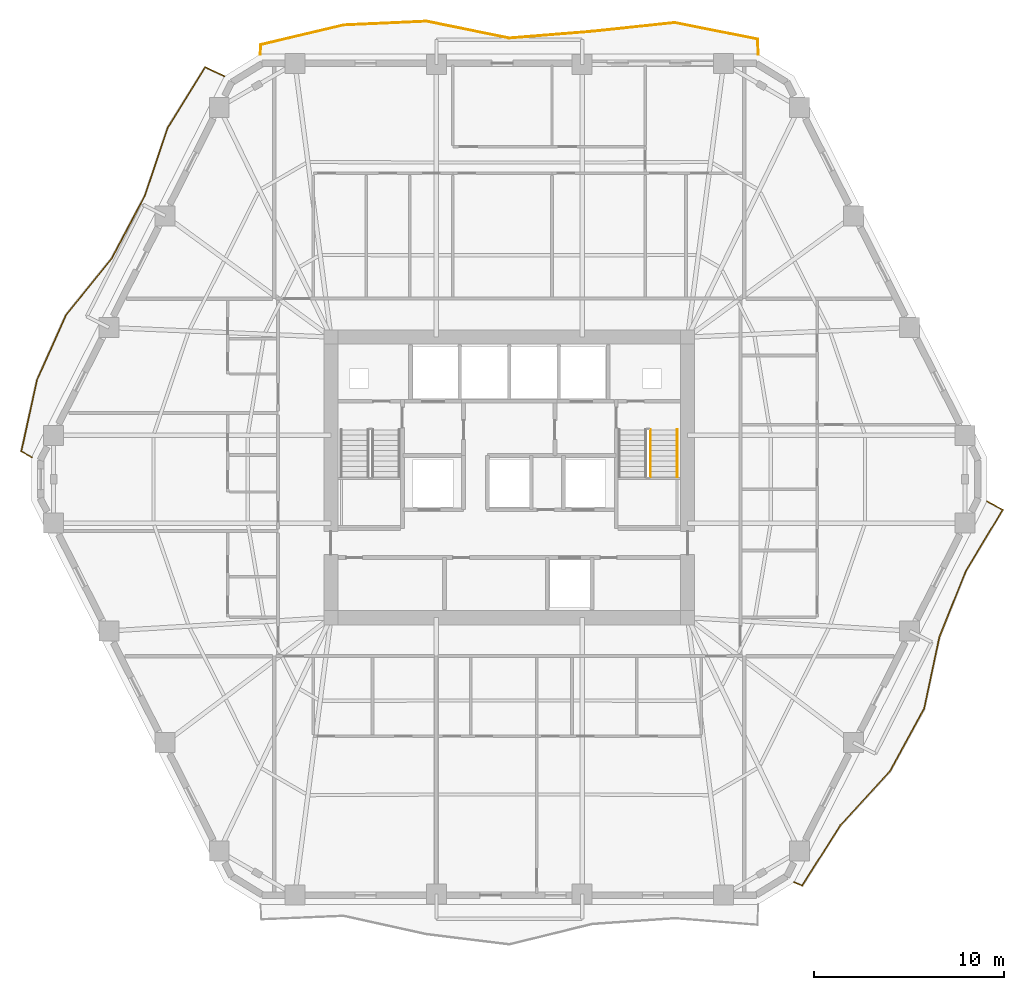
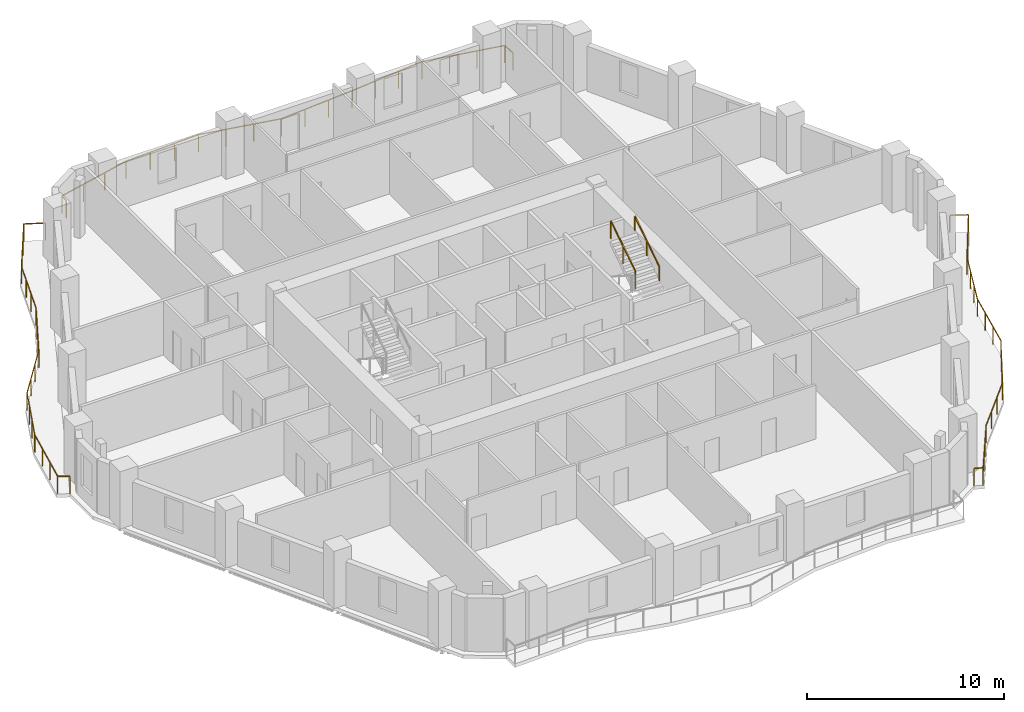
# One storey, part 10 of 10: 5 railings.
"""IFC4 building model written with IfcOpenShell, lengths in metres."""

from ifc_helpers import new_model, si_unit, direction, frame, origin, origin_2d, place, context, subcontext, project, spatial, rectangle, extrude, material, type_object, element, save


model = new_model("IFC4")

# Units and contexts
model_context = context("Model", 3, precision=1e-05, world=origin(), true_north=direction((0.0, 1.0)))
body_context = subcontext(model_context, "Body", "Model", "MODEL_VIEW")
ifc_project = project(units=[si_unit("LENGTHUNIT", "METRE"), si_unit("AREAUNIT", "SQUARE_METRE"), si_unit("VOLUMEUNIT", "CUBIC_METRE"), si_unit("PLANEANGLEUNIT", "RADIAN"), si_unit("MASSUNIT", "GRAM", prefix="KILO")], contexts=[model_context])

# Site, building, storey
site_placement = place(None, origin())
site = spatial("IfcSite", under=ifc_project, at=site_placement, CompositionType="ELEMENT")
building_placement = place(site_placement, origin())
building = spatial("IfcBuilding", under=site, at=building_placement, Name="Cinnabar Lancet Tower", CompositionType="ELEMENT")
storey_placement = place(building_placement, frame((0.0, 0.0, 116.14990234375)))
storey = spatial("IfcBuildingStorey", under=building, at=storey_placement, Name="L30", CompositionType="ELEMENT", Elevation=116.14990234375)

# Railings
ifc_material_1 = material(Name="Laminated safety glass and bronze stainless steel balustrade", Category="steel")
railing_type_1 = type_object("IfcRailingType", Name="ENV-RLG-BAL-1100", PredefinedType="BALUSTRADE", material=ifc_material_1)
railing_1_placement = place(storey_placement, frame((47.37890625, 4.610107421875, 0.0)))
element("IfcRailing", 1, at=railing_1_placement, inside=storey, type_object=railing_type_1, Name="L30 Face 2 Wave Balcony Balustrade", PredefinedType="BALUSTRADE", context=body_context, shape_type="SweptSolid", body=[
    extrude(rectangle(XDim=0.048095703125, YDim=0.048095703125, at=origin_2d()), frame((0.0, 0.0, 1.076171875), z_axis=(0.921886676673, -0.387459617732, 0.0), x_axis=(0.387459617732, 0.921886676673, 0.0)), (0.0, 0.0, 1.0), 0.456787109375),
    extrude(rectangle(XDim=0.048095703125, YDim=0.048095703125, at=origin_2d()), frame((0.421142578125, -0.177001953125, 1.076171875), z_axis=(0.534649303748, 0.845074033444, 0.0), x_axis=(-0.845074033444, 0.534649303748, 0.0)), (0.0, 0.0, 1.0), 3.75),
    extrude(rectangle(XDim=0.048095703125, YDim=0.048095703125, at=origin_2d()), frame((2.426025390625, 2.991943359375, 1.076171875), z_axis=(0.675627624198, 0.737243049083, 0.0), x_axis=(-0.737243049083, 0.675627624198, 0.0)), (0.0, 0.0, 1.0), 3.875244140625),
    extrude(rectangle(XDim=0.048095703125, YDim=0.048095703125, at=origin_2d()), frame((5.044189453125, 5.848876953125, 1.076171875), z_axis=(0.479030865014, 0.877798057849, 0.0), x_axis=(-0.877798057849, 0.479030865014, 0.0)), (0.0, 0.0, 1.0), 3.732177734375),
    extrude(rectangle(XDim=0.048095703125, YDim=0.048095703125, at=origin_2d()), frame((6.83203125, 9.125, 1.076171875), z_axis=(0.208111508377, 0.978105106868, 0.0), x_axis=(-0.978105106868, 0.208111508377, 0.0)), (0.0, 0.0, 1.0), 3.8583984375),
    extrude(rectangle(XDim=0.048095703125, YDim=0.048095703125, at=origin_2d()), frame((7.635009765625, 12.89892578125, 1.076171875), z_axis=(0.372784078531, 0.927918116427, 0.0), x_axis=(-0.927918116427, 0.372784078531, 0.0)), (0.0, 0.0, 1.0), 3.744873046875),
    extrude(rectangle(XDim=0.048095703125, YDim=0.048095703125, at=origin_2d()), frame((9.031005859375, 16.373779296875, 1.076171875), z_axis=(0.516087612443, 0.856535799767, 0.0), x_axis=(-0.856535799767, 0.516087612443, 0.0)), (0.0, 0.0, 1.0), 3.741943359375),
    extrude(rectangle(XDim=0.048095703125, YDim=0.048095703125, at=origin_2d()), frame((10.962158203125, 19.578857421875, 1.076171875), z_axis=(-0.878241663527, 0.478217085063, 0.0), x_axis=(-0.478217085063, -0.878241663527, 0.0)), (0.0, 0.0, 1.0), 0.94287109375),
    extrude(rectangle(XDim=0.0419921875, YDim=0.0419921875, at=origin_2d()), origin(), (0.0, 0.0, 1.0), 1.052001953125),
    extrude(rectangle(XDim=0.0419921875, YDim=0.0419921875, at=origin_2d()), frame((0.421142578125, -0.177001953125, 0.0)), (0.0, 0.0, 1.0), 1.052001953125),
    extrude(rectangle(XDim=0.0419921875, YDim=0.0419921875, at=origin_2d()), frame((1.08935546875, 0.87939453125, 0.0)), (0.0, 0.0, 1.0), 1.052001953125),
    extrude(rectangle(XDim=0.0419921875, YDim=0.0419921875, at=origin_2d()), frame((1.7578125, 1.935546875, 0.0)), (0.0, 0.0, 1.0), 1.052001953125),
    extrude(rectangle(XDim=0.0419921875, YDim=0.0419921875, at=origin_2d()), frame((2.426025390625, 2.991943359375, 0.0)), (0.0, 0.0, 1.0), 1.052001953125),
    extrude(rectangle(XDim=0.0419921875, YDim=0.0419921875, at=origin_2d()), frame((3.298828125, 3.9443359375, 0.0)), (0.0, 0.0, 1.0), 1.052001953125),
    extrude(rectangle(XDim=0.0419921875, YDim=0.0419921875, at=origin_2d()), frame((4.17138671875, 4.896484375, 0.0)), (0.0, 0.0, 1.0), 1.052001953125),
    extrude(rectangle(XDim=0.0419921875, YDim=0.0419921875, at=origin_2d()), frame((5.044189453125, 5.848876953125, 0.0)), (0.0, 0.0, 1.0), 1.052001953125),
    extrude(rectangle(XDim=0.0419921875, YDim=0.0419921875, at=origin_2d()), frame((5.64013671875, 6.94091796875, 0.0)), (0.0, 0.0, 1.0), 1.052001953125),
    extrude(rectangle(XDim=0.0419921875, YDim=0.0419921875, at=origin_2d()), frame((6.236083984375, 8.032958984375, 0.0)), (0.0, 0.0, 1.0), 1.052001953125),
    extrude(rectangle(XDim=0.0419921875, YDim=0.0419921875, at=origin_2d()), frame((6.83203125, 9.125, 0.0)), (0.0, 0.0, 1.0), 1.052001953125),
    extrude(rectangle(XDim=0.0419921875, YDim=0.0419921875, at=origin_2d()), frame((7.099609375, 10.383056640625, 0.0)), (0.0, 0.0, 1.0), 1.052001953125),
    extrude(rectangle(XDim=0.0419921875, YDim=0.0419921875, at=origin_2d()), frame((7.367431640625, 11.640869140625, 0.0)), (0.0, 0.0, 1.0), 1.052001953125),
    extrude(rectangle(XDim=0.0419921875, YDim=0.0419921875, at=origin_2d()), frame((7.635009765625, 12.89892578125, 0.0)), (0.0, 0.0, 1.0), 1.052001953125),
    extrude(rectangle(XDim=0.0419921875, YDim=0.0419921875, at=origin_2d()), frame((8.100341796875, 14.05712890625, 0.0)), (0.0, 0.0, 1.0), 1.052001953125),
    extrude(rectangle(XDim=0.0419921875, YDim=0.0419921875, at=origin_2d()), frame((8.565673828125, 15.215576171875, 0.0)), (0.0, 0.0, 1.0), 1.052001953125),
    extrude(rectangle(XDim=0.0419921875, YDim=0.0419921875, at=origin_2d()), frame((9.031005859375, 16.373779296875, 0.0)), (0.0, 0.0, 1.0), 1.052001953125),
    extrude(rectangle(XDim=0.0419921875, YDim=0.0419921875, at=origin_2d()), frame((9.6748046875, 17.442138671875, 0.0)), (0.0, 0.0, 1.0), 1.052001953125),
    extrude(rectangle(XDim=0.0419921875, YDim=0.0419921875, at=origin_2d()), frame((10.318359375, 18.510498046875, 0.0)), (0.0, 0.0, 1.0), 1.052001953125),
    extrude(rectangle(XDim=0.0419921875, YDim=0.0419921875, at=origin_2d()), frame((10.962158203125, 19.578857421875, 0.0)), (0.0, 0.0, 1.0), 1.052001953125),
    extrude(rectangle(XDim=0.0419921875, YDim=0.0419921875, at=origin_2d()), frame((10.134033203125, 20.02978515625, 0.0)), (0.0, 0.0, 1.0), 1.052001953125),
])
railing_2_placement = place(storey_placement, frame((45.491943359375, 48.14990234375, 0.0)))
element("IfcRailing", 2, at=railing_2_placement, inside=storey, type_object=railing_type_1, Name="L30 Face 4 Wave Balcony Balustrade", PredefinedType="BALUSTRADE", context=body_context, shape_type="SweptSolid", body=[
    extrude(rectangle(XDim=0.048095703125, YDim=0.048095703125, at=origin_2d()), frame((0.0, 0.0, 1.076171875), z_axis=(-0.043181078808, 0.999067262217, 0.0), x_axis=(-0.999067262217, -0.043181078808, 0.0)), (0.0, 0.0, 1.0), 0.785888671875),
    extrude(rectangle(XDim=0.048095703125, YDim=0.048095703125, at=origin_2d()), frame((-0.033935546875, 0.78515625, 1.076171875), z_axis=(-0.980620837207, 0.195915220532, 0.0), x_axis=(-0.195915220532, -0.980620837207, 0.0)), (0.0, 0.0, 1.0), 4.43994140625),
    extrude(rectangle(XDim=0.048095703125, YDim=0.048095703125, at=origin_2d()), frame((-4.387939453125, 1.655029296875, 1.076171875), z_axis=(-0.994440473583, -0.105300258784, 0.0), x_axis=(0.105300258784, -0.994440473583, 0.0)), (0.0, 0.0, 1.0), 4.37744140625),
    extrude(rectangle(XDim=0.048095703125, YDim=0.048095703125, at=origin_2d()), frame((-8.740966796875, 1.194091796875, 1.076171875), z_axis=(-0.996742670856, -0.080647678789, 0.0), x_axis=(0.080647678789, -0.996742670856, 0.0)), (0.0, 0.0, 1.0), 4.365234375),
    extrude(rectangle(XDim=0.048095703125, YDim=0.048095703125, at=origin_2d()), frame((-13.092041015625, 0.842041015625, 1.076171875), z_axis=(-0.979941211729, 0.199286782189, 0.0), x_axis=(-0.199286782189, -0.979941211729, 0.0)), (0.0, 0.0, 1.0), 4.44091796875),
    extrude(rectangle(XDim=0.048095703125, YDim=0.048095703125, at=origin_2d()), frame((-17.44384765625, 1.72705078125, 1.076171875), z_axis=(-0.998976842849, -0.045224633242, 0.0), x_axis=(0.045224633242, -0.998976842849, 0.0)), (0.0, 0.0, 1.0), 4.3564453125),
    extrude(rectangle(XDim=0.048095703125, YDim=0.048095703125, at=origin_2d()), frame((-21.7958984375, 1.530029296875, 1.076171875), z_axis=(-0.973078999138, -0.23047182352, 0.0), x_axis=(0.23047182352, -0.973078999138, 0.0)), (0.0, 0.0, 1.0), 4.473388671875),
    extrude(rectangle(XDim=0.048095703125, YDim=0.048095703125, at=origin_2d()), frame((-26.14892578125, 0.4990234375, 1.076171875), z_axis=(-0.069790274517, -0.997561686104, 0.0), x_axis=(0.997561686104, -0.069790274517, 0.0)), (0.0, 0.0, 1.0), 0.500244140625),
    extrude(rectangle(XDim=0.0419921875, YDim=0.0419921875, at=origin_2d()), origin(), (0.0, 0.0, 1.0), 1.052001953125),
    extrude(rectangle(XDim=0.0419921875, YDim=0.0419921875, at=origin_2d()), frame((-0.033935546875, 0.78515625, 0.0)), (0.0, 0.0, 1.0), 1.052001953125),
    extrude(rectangle(XDim=0.0419921875, YDim=0.0419921875, at=origin_2d()), frame((-1.4853515625, 1.0751953125, 0.0)), (0.0, 0.0, 1.0), 1.052001953125),
    extrude(rectangle(XDim=0.0419921875, YDim=0.0419921875, at=origin_2d()), frame((-2.9365234375, 1.364990234375, 0.0)), (0.0, 0.0, 1.0), 1.052001953125),
    extrude(rectangle(XDim=0.0419921875, YDim=0.0419921875, at=origin_2d()), frame((-4.387939453125, 1.655029296875, 0.0)), (0.0, 0.0, 1.0), 1.052001953125),
    extrude(rectangle(XDim=0.0419921875, YDim=0.0419921875, at=origin_2d()), frame((-5.8388671875, 1.50146484375, 0.0)), (0.0, 0.0, 1.0), 1.052001953125),
    extrude(rectangle(XDim=0.0419921875, YDim=0.0419921875, at=origin_2d()), frame((-7.2900390625, 1.34765625, 0.0)), (0.0, 0.0, 1.0), 1.052001953125),
    extrude(rectangle(XDim=0.0419921875, YDim=0.0419921875, at=origin_2d()), frame((-8.740966796875, 1.194091796875, 0.0)), (0.0, 0.0, 1.0), 1.052001953125),
    extrude(rectangle(XDim=0.0419921875, YDim=0.0419921875, at=origin_2d()), frame((-10.19140625, 1.07666015625, 0.0)), (0.0, 0.0, 1.0), 1.052001953125),
    extrude(rectangle(XDim=0.0419921875, YDim=0.0419921875, at=origin_2d()), frame((-11.6416015625, 0.95947265625, 0.0)), (0.0, 0.0, 1.0), 1.052001953125),
    extrude(rectangle(XDim=0.0419921875, YDim=0.0419921875, at=origin_2d()), frame((-13.092041015625, 0.842041015625, 0.0)), (0.0, 0.0, 1.0), 1.052001953125),
    extrude(rectangle(XDim=0.0419921875, YDim=0.0419921875, at=origin_2d()), frame((-14.542724609375, 1.136962890625, 0.0)), (0.0, 0.0, 1.0), 1.052001953125),
    extrude(rectangle(XDim=0.0419921875, YDim=0.0419921875, at=origin_2d()), frame((-15.9931640625, 1.43212890625, 0.0)), (0.0, 0.0, 1.0), 1.052001953125),
    extrude(rectangle(XDim=0.0419921875, YDim=0.0419921875, at=origin_2d()), frame((-17.44384765625, 1.72705078125, 0.0)), (0.0, 0.0, 1.0), 1.052001953125),
    extrude(rectangle(XDim=0.0419921875, YDim=0.0419921875, at=origin_2d()), frame((-18.89453125, 1.661376953125, 0.0)), (0.0, 0.0, 1.0), 1.052001953125),
    extrude(rectangle(XDim=0.0419921875, YDim=0.0419921875, at=origin_2d()), frame((-20.34521484375, 1.595703125, 0.0)), (0.0, 0.0, 1.0), 1.052001953125),
    extrude(rectangle(XDim=0.0419921875, YDim=0.0419921875, at=origin_2d()), frame((-21.7958984375, 1.530029296875, 0.0)), (0.0, 0.0, 1.0), 1.052001953125),
    extrude(rectangle(XDim=0.0419921875, YDim=0.0419921875, at=origin_2d()), frame((-23.246826171875, 1.186279296875, 0.0)), (0.0, 0.0, 1.0), 1.052001953125),
    extrude(rectangle(XDim=0.0419921875, YDim=0.0419921875, at=origin_2d()), frame((-24.697998046875, 0.8427734375, 0.0)), (0.0, 0.0, 1.0), 1.052001953125),
    extrude(rectangle(XDim=0.0419921875, YDim=0.0419921875, at=origin_2d()), frame((-26.14892578125, 0.4990234375, 0.0)), (0.0, 0.0, 1.0), 1.052001953125),
    extrude(rectangle(XDim=0.0419921875, YDim=0.0419921875, at=origin_2d()), frame((-26.183837890625, 0.0, 0.0)), (0.0, 0.0, 1.0), 1.052001953125),
])
railing_3_placement = place(storey_placement, frame((17.4208984375, 46.989990234375, 0.0)))
element("IfcRailing", 3, at=railing_3_placement, inside=storey, type_object=railing_type_1, Name="L30 Face 5 Wave Balcony Balustrade", PredefinedType="BALUSTRADE", context=body_context, shape_type="SweptSolid", body=[
    extrude(rectangle(XDim=0.048095703125, YDim=0.048095703125, at=origin_2d()), frame((0.0, 0.0, 1.076171875), z_axis=(-0.9045498365, 0.42636790837, 0.0), x_axis=(-0.42636790837, -0.9045498365, 0.0)), (0.0, 0.0, 1.0), 1.112060546875),
    extrude(rectangle(XDim=0.048095703125, YDim=0.048095703125, at=origin_2d()), frame((-1.005859375, 0.47412109375, 1.076171875), z_axis=(-0.527619092522, -0.849481072895, 0.0), x_axis=(0.849481072895, -0.527619092522, 0.0)), (0.0, 0.0, 1.0), 3.7470703125),
    extrude(rectangle(XDim=0.048095703125, YDim=0.048095703125, at=origin_2d()), frame((-2.98291015625, -2.708984375, 1.076171875), z_axis=(-0.31789735374, -0.948125135457, 0.0), x_axis=(0.948125135457, -0.31789735374, 0.0)), (0.0, 0.0, 1.0), 3.771484375),
    extrude(rectangle(XDim=0.048095703125, YDim=0.048095703125, at=origin_2d()), frame((-4.181884765625, -6.284912109375, 1.076171875), z_axis=(-0.467436655311, -0.884026568193, 0.0), x_axis=(0.884026568193, -0.467436655311, 0.0)), (0.0, 0.0, 1.0), 3.730712890625),
    extrude(rectangle(XDim=0.048095703125, YDim=0.048095703125, at=origin_2d()), frame((-5.92578125, -9.5830078125, 1.076171875), z_axis=(-0.628922139537, -0.777468290286, 0.0), x_axis=(0.777468290286, -0.628922139537, 0.0)), (0.0, 0.0, 1.0), 3.81640625),
    extrude(rectangle(XDim=0.048095703125, YDim=0.048095703125, at=origin_2d()), frame((-8.325927734375, -12.550048828125, 1.076171875), z_axis=(-0.40792035818, -0.91301751428, 0.0), x_axis=(0.91301751428, -0.40792035818, 0.0)), (0.0, 0.0, 1.0), 3.73583984375),
    extrude(rectangle(XDim=0.048095703125, YDim=0.048095703125, at=origin_2d()), frame((-9.849853515625, -15.9609375, 1.076171875), z_axis=(-0.21438665042, -0.976748874646, 0.0), x_axis=(0.976748874646, -0.21438665042, 0.0)), (0.0, 0.0, 1.0), 3.8525390625),
    extrude(rectangle(XDim=0.048095703125, YDim=0.048095703125, at=origin_2d()), frame((-10.67578125, -19.723876953125, 1.076171875), z_axis=(0.870694291715, -0.491824613428, 0.0), x_axis=(0.491824613428, 0.870694291715, 0.0)), (0.0, 0.0, 1.0), 0.62255859375),
    extrude(rectangle(XDim=0.0419921875, YDim=0.0419921875, at=origin_2d()), origin(), (0.0, 0.0, 1.0), 1.052001953125),
    extrude(rectangle(XDim=0.0419921875, YDim=0.0419921875, at=origin_2d()), frame((-1.005859375, 0.47412109375, 0.0)), (0.0, 0.0, 1.0), 1.052001953125),
    extrude(rectangle(XDim=0.0419921875, YDim=0.0419921875, at=origin_2d()), frame((-1.664794921875, -0.5869140625, 0.0)), (0.0, 0.0, 1.0), 1.052001953125),
    extrude(rectangle(XDim=0.0419921875, YDim=0.0419921875, at=origin_2d()), frame((-2.323974609375, -1.64794921875, 0.0)), (0.0, 0.0, 1.0), 1.052001953125),
    extrude(rectangle(XDim=0.0419921875, YDim=0.0419921875, at=origin_2d()), frame((-2.98291015625, -2.708984375, 0.0)), (0.0, 0.0, 1.0), 1.052001953125),
    extrude(rectangle(XDim=0.0419921875, YDim=0.0419921875, at=origin_2d()), frame((-3.382568359375, -3.90087890625, 0.0)), (0.0, 0.0, 1.0), 1.052001953125),
    extrude(rectangle(XDim=0.0419921875, YDim=0.0419921875, at=origin_2d()), frame((-3.7822265625, -5.093017578125, 0.0)), (0.0, 0.0, 1.0), 1.052001953125),
    extrude(rectangle(XDim=0.0419921875, YDim=0.0419921875, at=origin_2d()), frame((-4.181884765625, -6.284912109375, 0.0)), (0.0, 0.0, 1.0), 1.052001953125),
    extrude(rectangle(XDim=0.0419921875, YDim=0.0419921875, at=origin_2d()), frame((-4.76318359375, -7.38427734375, 0.0)), (0.0, 0.0, 1.0), 1.052001953125),
    extrude(rectangle(XDim=0.0419921875, YDim=0.0419921875, at=origin_2d()), frame((-5.344482421875, -8.483642578125, 0.0)), (0.0, 0.0, 1.0), 1.052001953125),
    extrude(rectangle(XDim=0.0419921875, YDim=0.0419921875, at=origin_2d()), frame((-5.92578125, -9.5830078125, 0.0)), (0.0, 0.0, 1.0), 1.052001953125),
    extrude(rectangle(XDim=0.0419921875, YDim=0.0419921875, at=origin_2d()), frame((-6.725830078125, -10.572021484375, 0.0)), (0.0, 0.0, 1.0), 1.052001953125),
    extrude(rectangle(XDim=0.0419921875, YDim=0.0419921875, at=origin_2d()), frame((-7.52587890625, -11.56103515625, 0.0)), (0.0, 0.0, 1.0), 1.052001953125),
    extrude(rectangle(XDim=0.0419921875, YDim=0.0419921875, at=origin_2d()), frame((-8.325927734375, -12.550048828125, 0.0)), (0.0, 0.0, 1.0), 1.052001953125),
    extrude(rectangle(XDim=0.0419921875, YDim=0.0419921875, at=origin_2d()), frame((-8.833984375, -13.68701171875, 0.0)), (0.0, 0.0, 1.0), 1.052001953125),
    extrude(rectangle(XDim=0.0419921875, YDim=0.0419921875, at=origin_2d()), frame((-9.341796875, -14.823974609375, 0.0)), (0.0, 0.0, 1.0), 1.052001953125),
    extrude(rectangle(XDim=0.0419921875, YDim=0.0419921875, at=origin_2d()), frame((-9.849853515625, -15.9609375, 0.0)), (0.0, 0.0, 1.0), 1.052001953125),
    extrude(rectangle(XDim=0.0419921875, YDim=0.0419921875, at=origin_2d()), frame((-10.125244140625, -17.21533203125, 0.0)), (0.0, 0.0, 1.0), 1.052001953125),
    extrude(rectangle(XDim=0.0419921875, YDim=0.0419921875, at=origin_2d()), frame((-10.400390625, -18.469482421875, 0.0)), (0.0, 0.0, 1.0), 1.052001953125),
    extrude(rectangle(XDim=0.0419921875, YDim=0.0419921875, at=origin_2d()), frame((-10.67578125, -19.723876953125, 0.0)), (0.0, 0.0, 1.0), 1.052001953125),
    extrude(rectangle(XDim=0.0419921875, YDim=0.0419921875, at=origin_2d()), frame((-10.1337890625, -20.030029296875, 0.0)), (0.0, 0.0, 1.0), 1.052001953125),
])
ifc_material_2 = material(Name="Painted galvanized steel balustrade", Category="steel")
railing_type_2 = type_object("IfcRailingType", Name="GUARD-STAIR", PredefinedType="GUARDRAIL", material=ifc_material_2)
railing_4_placement = place(storey_placement, frame((39.824951171875, 25.925048828125, 1.95263671875)))
element("IfcRailing", 4, at=railing_4_placement, inside=storey, type_object=railing_type_2, Name="L30 ST-2 stair guard 3", PredefinedType="GUARDRAIL", context=body_context, shape_type="SweptSolid", body=[
    extrude(rectangle(XDim=0.048095703125, YDim=0.048095703125, at=origin_2d()), frame((0.0, 0.0, 1.076171875), z_axis=(0.0, 0.840183358697, 0.542302428327), x_axis=(-1.0, 0.0, 0.0)), (0.0, 0.0, 1.0), 2.945556640625),
    extrude(rectangle(XDim=0.0419921875, YDim=0.0419921875, at=origin_2d()), origin(), (0.0, 0.0, 1.0), 1.052001953125),
    extrude(rectangle(XDim=0.0419921875, YDim=0.0419921875, at=origin_2d()), frame((0.0, 1.2373046875, 0.798828125)), (0.0, 0.0, 1.0), 1.052001953125),
    extrude(rectangle(XDim=0.0419921875, YDim=0.0419921875, at=origin_2d()), frame((0.0, 2.474853515625, 1.597412109375)), (0.0, 0.0, 1.0), 1.052001953125),
])
ifc_material_3 = material(Name="Brushed stainless steel handrail", Category="steel")
railing_type_3 = type_object("IfcRailingType", Name="HANDRAIL-STAIR", PredefinedType="HANDRAIL", material=ifc_material_3)
railing_5_placement = place(storey_placement, frame((41.22509765625, 25.925048828125, 1.95263671875)))
element("IfcRailing", 5, at=railing_5_placement, inside=storey, type_object=railing_type_3, Name="L30 ST-2 stair handrail 2", PredefinedType="HANDRAIL", context=body_context, shape_type="SweptSolid", body=[
    extrude(rectangle(XDim=0.048095703125, YDim=0.048095703125, at=origin_2d()), frame((0.0, 0.0, 0.8759765625), z_axis=(0.0, 0.840183358697, 0.542302428327), x_axis=(-1.0, 0.0, 0.0)), (0.0, 0.0, 1.0), 2.945556640625),
    extrude(rectangle(XDim=0.0419921875, YDim=0.0419921875, at=origin_2d()), origin(), (0.0, 0.0, 1.0), 0.851806640625),
    extrude(rectangle(XDim=0.0419921875, YDim=0.0419921875, at=origin_2d()), frame((0.0, 1.2373046875, 0.798828125)), (0.0, 0.0, 1.0), 0.851806640625),
    extrude(rectangle(XDim=0.0419921875, YDim=0.0419921875, at=origin_2d()), frame((0.0, 2.474853515625, 1.597412109375)), (0.0, 0.0, 1.0), 0.851806640625),
])

save(model, "model.ifc")
